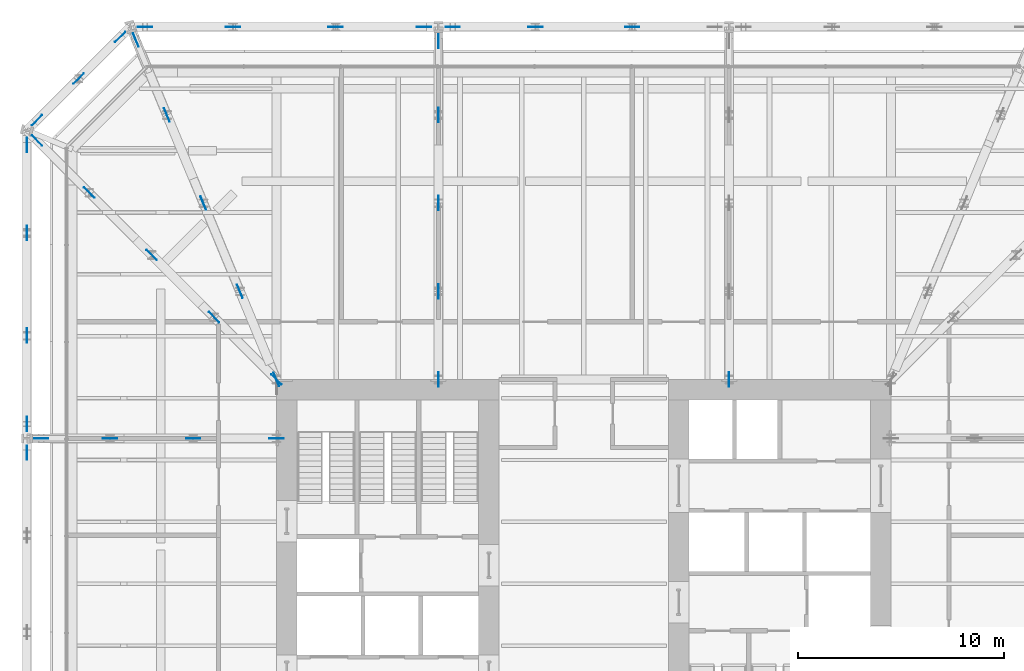
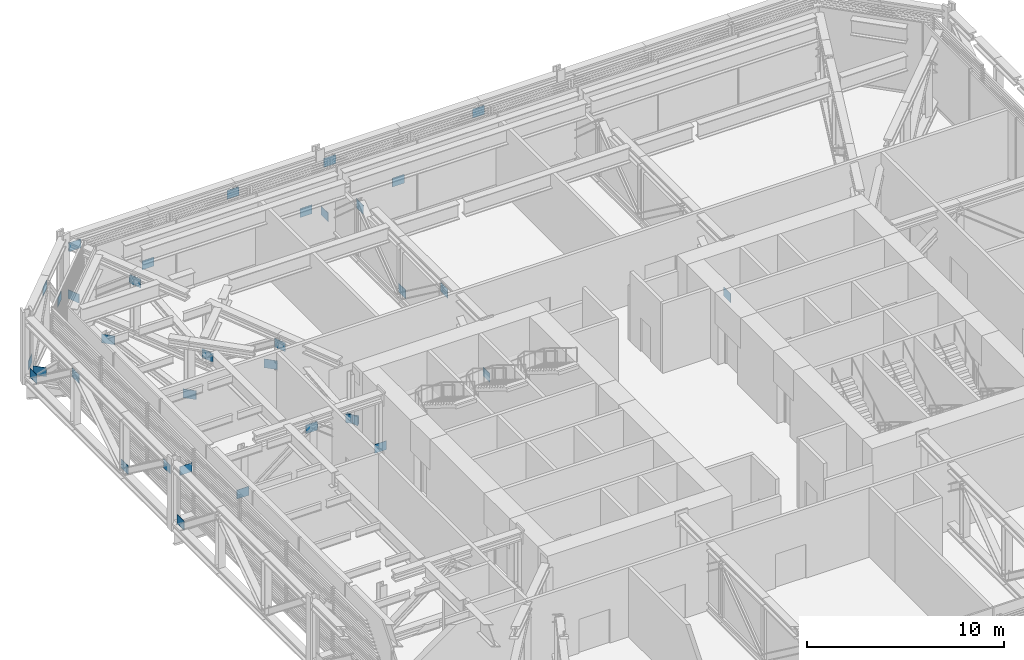
# One storey, part 31 of 33: 35 discrete accessories.
"""IFC4 building model written with IfcOpenShell, lengths in metres."""

from ifc_helpers import new_model, si_unit, direction, frame, origin, origin_2d, place, context, subcontext, project, spatial, rectangle, extrude, material, layer, layer_set, type_object, element, save


model = new_model("IFC4")

# Units and contexts
model_context = context("Model", 3, precision=1e-05, world=origin(), true_north=direction((0.0, 1.0)))
body_context = subcontext(model_context, "Body", "Model", "MODEL_VIEW")
ifc_project = project(units=[si_unit("LENGTHUNIT", "METRE"), si_unit("AREAUNIT", "SQUARE_METRE"), si_unit("VOLUMEUNIT", "CUBIC_METRE"), si_unit("PLANEANGLEUNIT", "RADIAN"), si_unit("MASSUNIT", "GRAM", prefix="KILO")], contexts=[model_context])

# Site, building, storey
site_placement = place(None, origin())
site = spatial("IfcSite", under=ifc_project, at=site_placement, CompositionType="ELEMENT")
building_placement = place(site_placement, origin())
building = spatial("IfcBuilding", under=site, at=building_placement, Name="Millrace Tower", CompositionType="ELEMENT")
storey_placement = place(building_placement, frame((0.0, 0.0, 64.10009765625)))
storey = spatial("IfcBuildingStorey", under=building, at=storey_placement, Name="L14", CompositionType="ELEMENT", Elevation=64.10009765625)

# Discrete accessories
ifc_material = material(Name="Steel ASTM A572 Grade 50", Category="steel")
ifc_layer = layer(ifc_material, 0.02490234375)
ifc_layer_set = layer_set([ifc_layer], Name="Steel ASTM A572 Grade 50")
discrete_accessory_type = type_object("IfcDiscreteAccessoryType", Name="Truss gusset plate 700x550x25", PredefinedType="BRACKET", material=ifc_layer_set)
for number, where, z_axis, x_axis, name in (
    (1, (2.0, 27.0, 3.411865234375), (1.0, 0.0, 0.0), (0.0, 1.0, 0.0), "Truss gusset plate BLT-L14-R11-D01 head"),
    (2, (-2.699951171875, 27.0, 0.7880859375), (1.0, 0.0, 0.0), (0.0, 1.0, 0.0), "Truss gusset plate BLT-L14-R11-D02 foot"),
    (3, (-6.699951171875, 27.0, 3.411865234375), (1.0, 0.0, 0.0), (0.0, 1.0, 0.0), "Truss gusset plate BLT-L14-R11-D03 head"),
):
    element("IfcDiscreteAccessory", number, at=place(storey_placement, frame(where, z_axis=z_axis, x_axis=x_axis)), inside=storey, type_object=discrete_accessory_type, Name=name, PredefinedType="BRACKET", context=body_context, shape_type="SweptSolid", body=[
        extrude(rectangle(XDim=0.02490234375, YDim=0.550048828125, at=origin_2d()), origin(), (0.0, 0.0, 1.0), 0.699951171875),
    ])
for number, where, z_axis, x_axis, name in (
    (4, (-8.10009765625, 27.0, 0.7880859375), (1.0, 0.0, 0.0), (0.0, 1.0, 0.0), "Truss gusset plate BLT-L14-R12-D01 foot"),
    (5, (-12.376220703125, 27.0, 3.411865234375), (1.0, 0.0, 0.0), (0.0, 1.0, 0.0), "Truss gusset plate BLT-L14-R12-D01 head"),
):
    element("IfcDiscreteAccessory", number, at=place(storey_placement, frame(where, z_axis=z_axis, x_axis=x_axis)), inside=storey, type_object=discrete_accessory_type, Name=name, PredefinedType="BRACKET", context=body_context, shape_type="SweptSolid", body=[
        extrude(rectangle(XDim=0.02490234375, YDim=0.550048828125, at=origin_2d()), origin(), (0.0, 0.0, 1.0), 0.7001953125),
    ])
for number, where, z_axis, x_axis, name in (
    (6, (-17.352294921875, 27.0, 0.7880859375), (1.0, 0.0, 0.0), (0.0, 1.0, 0.0), "Truss gusset plate BLT-L14-R12-D02 foot"),
    (7, (-21.62841796875, 27.0, 3.411865234375), (1.0, 0.0, 0.0), (0.0, 1.0, 0.0), "Truss gusset plate BLT-L14-R12-D03 head"),
    (8, (-22.720947265625, 26.257568359375, 0.7880859375), (0.707281138664, 0.706932380706, 0.0), (-0.706932380706, 0.707281138664, 0.0), "Truss gusset plate BLT-L14-R13-D01 foot"),
):
    element("IfcDiscreteAccessory", number, at=place(storey_placement, frame(where, z_axis=z_axis, x_axis=x_axis)), inside=storey, type_object=discrete_accessory_type, Name=name, PredefinedType="BRACKET", context=body_context, shape_type="SweptSolid", body=[
        extrude(rectangle(XDim=0.02490234375, YDim=0.550048828125, at=origin_2d()), origin(), (0.0, 0.0, 1.0), 0.699951171875),
    ])
discrete_accessory_placement = place(storey_placement, frame((-24.73681640625, 24.24169921875, 3.411865234375), z_axis=(0.707106781187, 0.707106781187, 0.0), x_axis=(-0.707106781187, 0.707106781187, 0.0)))
element("IfcDiscreteAccessory", 9, at=discrete_accessory_placement, inside=storey, type_object=discrete_accessory_type, Name="Truss gusset plate BLT-L14-R13-D01 head", PredefinedType="BRACKET", context=body_context, shape_type="SweptSolid", body=[
    extrude(rectangle(XDim=0.02490234375, YDim=0.550048828125, at=origin_2d()), origin(), (0.0, 0.0, 1.0), 0.7001953125),
])
for number, where, z_axis, x_axis, name in (
    (10, (-26.75244140625, 22.225830078125, 0.7880859375), (0.706932380706, 0.707281138664, 0.0), (-0.707281138664, 0.706932380706, 0.0), "Truss gusset plate BLT-L14-R13-D02 foot"),
    (11, (-27.0, 20.928466796875, 0.7880859375), (0.0, 1.0, 0.0), (-1.0, 0.0, 0.0), "Truss gusset plate BLT-L14-R14-D01 foot"),
    (12, (-27.0, 16.65234375, 3.411865234375), (0.0, 1.0, 0.0), (-1.0, 0.0, 0.0), "Truss gusset plate BLT-L14-R14-D01 head"),
):
    element("IfcDiscreteAccessory", number, at=place(storey_placement, frame(where, z_axis=z_axis, x_axis=x_axis)), inside=storey, type_object=discrete_accessory_type, Name=name, PredefinedType="BRACKET", context=body_context, shape_type="SweptSolid", body=[
        extrude(rectangle(XDim=0.02490234375, YDim=0.550048828125, at=origin_2d()), origin(), (0.0, 0.0, 1.0), 0.699951171875),
    ])
for number, where, z_axis, x_axis, name in (
    (13, (-27.0, 11.676025390625, 0.7880859375), (0.0, 1.0, 0.0), (-1.0, 0.0, 0.0), "Truss gusset plate BLT-L14-R14-D02 foot"),
    (14, (-27.0, 7.39990234375, 3.411865234375), (0.0, 1.0, 0.0), (-1.0, 0.0, 0.0), "Truss gusset plate BLT-L14-R14-D03 head"),
):
    element("IfcDiscreteAccessory", number, at=place(storey_placement, frame(where, z_axis=z_axis, x_axis=x_axis)), inside=storey, type_object=discrete_accessory_type, Name=name, PredefinedType="BRACKET", context=body_context, shape_type="SweptSolid", body=[
        extrude(rectangle(XDim=0.02490234375, YDim=0.550048828125, at=origin_2d()), origin(), (0.0, 0.0, 1.0), 0.7001953125),
    ])
for number, where, z_axis, x_axis, name in (
    (15, (-27.0, 6.0, 0.7880859375), (0.0, 1.0, 0.0), (-1.0, 0.0, 0.0), "Truss gusset plate BLT-L14-R15-D01 foot"),
    (16, (7.050048828125, 9.550048828125, 0.7880859375), (0.0, 1.0, 0.0), (-1.0, 0.0, 0.0), "Truss gusset plate BLT-L14-O11-D01 foot"),
    (17, (-7.050048828125, 9.550048828125, 0.7880859375), (0.0, 1.0, 0.0), (-1.0, 0.0, 0.0), "Truss gusset plate BLT-L14-O12-D01 foot"),
    (18, (-7.050048828125, 13.824951171875, 3.411865234375), (0.0, 1.0, 0.0), (-1.0, 0.0, 0.0), "Truss gusset plate BLT-L14-O12-D01 head"),
    (19, (-7.050048828125, 18.10009765625, 0.7880859375), (0.0, 1.0, 0.0), (-1.0, 0.0, 0.0), "Truss gusset plate BLT-L14-O12-D02 foot"),
    (20, (-7.050048828125, 22.375, 3.411865234375), (0.0, 1.0, 0.0), (-1.0, 0.0, 0.0), "Truss gusset plate BLT-L14-O12-D03 head"),
    (21, (-7.050048828125, 25.949951171875, 0.7880859375), (0.0, 1.0, 0.0), (-1.0, 0.0, 0.0), "Truss gusset plate BLT-L14-O12-D04 foot"),
    (22, (-15.033935546875, 10.223388671875, 0.7880859375), (0.382608492088, -0.92391057023, 0.0), (0.92391057023, 0.382608492088, 0.0), "Truss gusset plate BLT-L14-O13-D01 foot"),
    (23, (-16.803466796875, 14.498291015625, 3.411865234375), (0.382608492088, -0.92391057023, 0.0), (0.92391057023, 0.382608492088, 0.0), "Truss gusset plate BLT-L14-O13-D01 head"),
    (24, (-18.572998046875, 18.7734375, 0.7880859375), (0.38231071261, -0.924033830021, 0.0), (0.924033830021, 0.38231071261, 0.0), "Truss gusset plate BLT-L14-O13-D02 foot"),
    (25, (-20.3427734375, 23.04833984375, 3.411865234375), (0.382608492088, -0.92391057023, 0.0), (0.92391057023, 0.382608492088, 0.0), "Truss gusset plate BLT-L14-O13-D03 head"),
    (26, (-21.844482421875, 26.676513671875, 0.7880859375), (0.38231071261, -0.924033830021, 0.0), (0.924033830021, 0.38231071261, 0.0), "Truss gusset plate BLT-L14-O13-D04 foot"),
    (27, (-15.147705078125, 10.147216796875, 0.7880859375), (0.707629724481, -0.706583450861, 0.0), (0.706583450861, 0.707629724481, 0.0), "Truss gusset plate BLT-L14-O14-D01 foot"),
    (28, (-18.172607421875, 13.1669921875, 3.411865234375), (0.707629724481, -0.706583450861, 0.0), (0.706583450861, 0.707629724481, 0.0), "Truss gusset plate BLT-L14-O14-D01 head"),
    (29, (-21.19775390625, 16.1865234375, 0.7880859375), (0.707629724481, -0.706583450861, 0.0), (0.706583450861, 0.707629724481, 0.0), "Truss gusset plate BLT-L14-O14-D02 foot"),
    (30, (-24.22265625, 19.2060546875, 3.411865234375), (0.707804124643, -0.706408749336, 0.0), (0.706408749336, 0.707804124643, 0.0), "Truss gusset plate BLT-L14-O14-D03 head"),
    (31, (-26.752197265625, 21.731201171875, 0.7880859375), (0.707629724481, -0.706583450861, 0.0), (0.706583450861, 0.707629724481, 0.0), "Truss gusset plate BLT-L14-O14-D04 foot"),
    (32, (-15.25, 7.050048828125, 0.7880859375), (1.0, 0.0, 0.0), (0.0, 1.0, 0.0), "Truss gusset plate BLT-L14-O15-D01 foot"),
    (33, (-19.283203125, 7.050048828125, 3.411865234375), (1.0, 0.0, 0.0), (0.0, 1.0, 0.0), "Truss gusset plate BLT-L14-O15-D01 head"),
    (34, (-23.316650390625, 7.050048828125, 0.7880859375), (1.0, 0.0, 0.0), (0.0, 1.0, 0.0), "Truss gusset plate BLT-L14-O15-D02 foot"),
    (35, (-26.64990234375, 7.050048828125, 3.411865234375), (1.0, 0.0, 0.0), (0.0, 1.0, 0.0), "Truss gusset plate BLT-L14-O15-D03 head"),
):
    element("IfcDiscreteAccessory", number, at=place(storey_placement, frame(where, z_axis=z_axis, x_axis=x_axis)), inside=storey, type_object=discrete_accessory_type, Name=name, PredefinedType="BRACKET", context=body_context, shape_type="SweptSolid", body=[
        extrude(rectangle(XDim=0.02490234375, YDim=0.550048828125, at=origin_2d()), origin(), (0.0, 0.0, 1.0), 0.699951171875),
    ])

save(model, "model.ifc")
